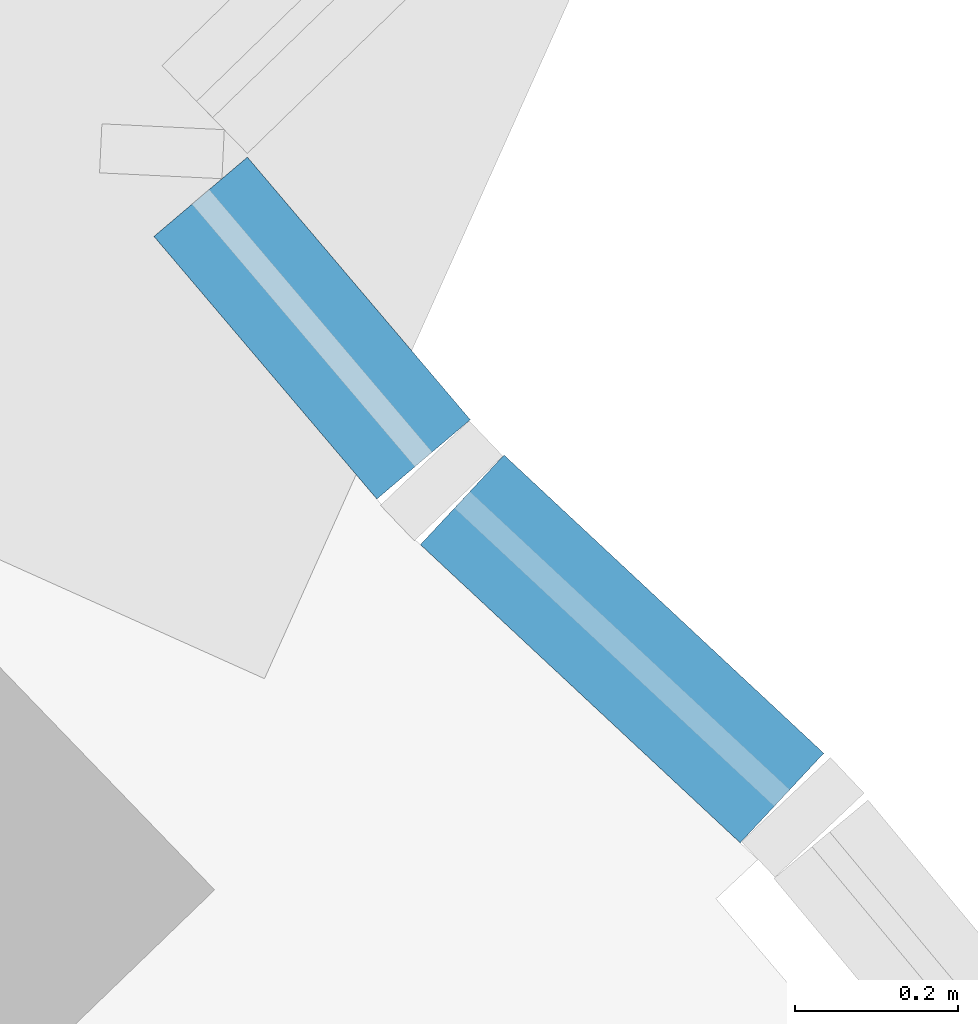
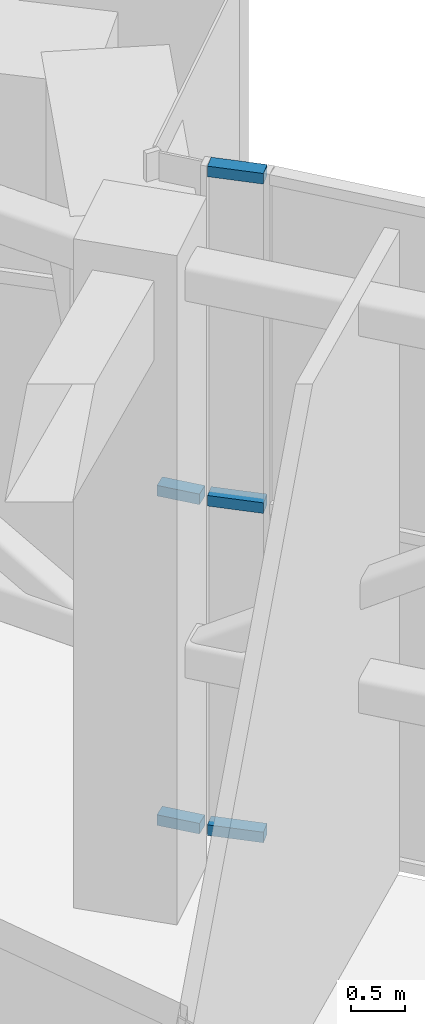
# One storey, part 15 of 32: 5 members, 2 elements without a shape of their own.
"""IFC4 building model written with IfcOpenShell, lengths in metres."""

from ifc_helpers import new_model, si_unit, direction, frame, origin, origin_2d, place, context, subcontext, project, spatial, rectangle, extrude, material, layer, layer_set, material_profile, profile_set, type_object, element, aggregate, save


model = new_model("IFC4")

# Units and contexts
model_context = context("Model", 3, precision=1e-05, world=origin(), true_north=direction((0.0, 1.0)))
body_context = subcontext(model_context, "Body", "Model", "MODEL_VIEW")
ifc_project = project(units=[si_unit("LENGTHUNIT", "METRE"), si_unit("AREAUNIT", "SQUARE_METRE"), si_unit("VOLUMEUNIT", "CUBIC_METRE"), si_unit("PLANEANGLEUNIT", "RADIAN"), si_unit("MASSUNIT", "GRAM", prefix="KILO")], contexts=[model_context])

# Site, building, storey
site_placement = place(None, origin())
site = spatial("IfcSite", under=ifc_project, at=site_placement, CompositionType="ELEMENT")
building_placement = place(site_placement, origin())
building = spatial("IfcBuilding", under=site, at=building_placement, Name="Stone Belt Terrace Tower", CompositionType="ELEMENT")
storey_placement = place(building_placement, frame((0.0, 0.0, 193.39990234375)))
storey = spatial("IfcBuildingStorey", under=building, at=storey_placement, Name="L47", CompositionType="ELEMENT", Elevation=193.39990234375)

# Curtain wall, members
ifc_material = material(Name="Aluminium 6063-T6 anodised frame", Category="aluminium")
ifc_layer = layer(ifc_material, 0.14990234375)
ifc_layer_set = layer_set([ifc_layer], Name="CW-C stick curtain wall, horn ends and notches")
curtain_wall_type = type_object("IfcCurtainWallType", Name="CW-C stick curtain wall, horn ends and notches", PredefinedType="NOTDEFINED", material=ifc_layer_set)
curtain_wall_1_placement = place(storey_placement, origin())
curtain_wall_1 = element("IfcCurtainWall", 1, at=curtain_wall_1_placement, inside=storey, type_object=curtain_wall_type, Name="CW-C end face L47", PredefinedType="NOTDEFINED")
ifc_material_profile = material_profile(ifc_material, rectangle(XDim=0.14990234375, YDim=0.1201171875, at=origin_2d()), Name="Aluminium 6063-T6 150x120")
ifc_profile_set = profile_set([ifc_material_profile], Name="Aluminium 6063-T6 anodised frame")
member_type = type_object("IfcMemberType", Name="CW-C transom 120 x 150", PredefinedType="USERDEFINED", material=ifc_profile_set)
member_1_placement = place(storey_placement, frame((46.378173828125, 43.480712890625, 0.06005859375), z_axis=(-0.731328464802, 0.682025422231, 0.0), x_axis=(-0.682025422231, -0.731328464802, 0.0)))
member_1 = element("IfcMember", 2, at=member_1_placement, type_object=member_type, Name="CW-C transom 1.1", ObjectType="TRANSOM", PredefinedType="USERDEFINED", context=body_context, shape_type="SweptSolid", body=[
    extrude(rectangle(XDim=0.14990234375, YDim=0.1201171875, at=origin_2d()), origin(), (0.0, 0.0, 1.0), 0.534912109375),
])
member_2_placement = place(storey_placement, frame((46.378173828125, 43.480712890625, 3.800048828125), z_axis=(-0.731328464802, 0.682025422231, 0.0), x_axis=(-0.682025422231, -0.731328464802, 0.0)))
member_2 = element("IfcMember", 3, at=member_2_placement, type_object=member_type, Name="CW-C transom 1.2", ObjectType="TRANSOM", PredefinedType="USERDEFINED", context=body_context, shape_type="SweptSolid", body=[
    extrude(rectangle(XDim=0.14990234375, YDim=0.1201171875, at=origin_2d()), origin(), (0.0, 0.0, 1.0), 0.534912109375),
])
member_3_placement = place(storey_placement, frame((46.378173828125, 43.480712890625, 7.5400390625), z_axis=(-0.731328464802, 0.682025422231, 0.0), x_axis=(-0.682025422231, -0.731328464802, 0.0)))
member_3 = element("IfcMember", 4, at=member_3_placement, type_object=member_type, Name="CW-C transom 1.3", ObjectType="TRANSOM", PredefinedType="USERDEFINED", context=body_context, shape_type="SweptSolid", body=[
    extrude(rectangle(XDim=0.14990234375, YDim=0.1201171875, at=origin_2d()), origin(), (0.0, 0.0, 1.0), 0.534912109375),
])
aggregate(curtain_wall_1, [member_1, member_2, member_3])

curtain_wall_2_placement = place(storey_placement, origin())
curtain_wall_2 = element("IfcCurtainWall", 5, at=curtain_wall_2_placement, inside=storey, type_object=curtain_wall_type, Name="CW-C end face L47", PredefinedType="NOTDEFINED")
member_4_placement = place(storey_placement, frame((45.939697265625, 43.89501953125, 0.06005859375), z_axis=(-0.647110130338, 0.762396536728, 0.0), x_axis=(-0.762396536728, -0.647110130338, 0.0)))
member_4 = element("IfcMember", 6, at=member_4_placement, type_object=member_type, Name="CW-C transom 1.1", ObjectType="TRANSOM", PredefinedType="USERDEFINED", context=body_context, shape_type="SweptSolid", body=[
    extrude(rectangle(XDim=0.14990234375, YDim=0.1201171875, at=origin_2d()), origin(), (0.0, 0.0, 1.0), 0.42138671875),
])
member_5_placement = place(storey_placement, frame((45.939697265625, 43.89501953125, 3.800048828125), z_axis=(-0.647110130338, 0.762396536728, 0.0), x_axis=(-0.762396536728, -0.647110130338, 0.0)))
member_5 = element("IfcMember", 7, at=member_5_placement, type_object=member_type, Name="CW-C transom 1.2", ObjectType="TRANSOM", PredefinedType="USERDEFINED", context=body_context, shape_type="SweptSolid", body=[
    extrude(rectangle(XDim=0.14990234375, YDim=0.1201171875, at=origin_2d()), origin(), (0.0, 0.0, 1.0), 0.42138671875),
])
aggregate(curtain_wall_2, [member_4, member_5])

save(model, "model.ifc")
